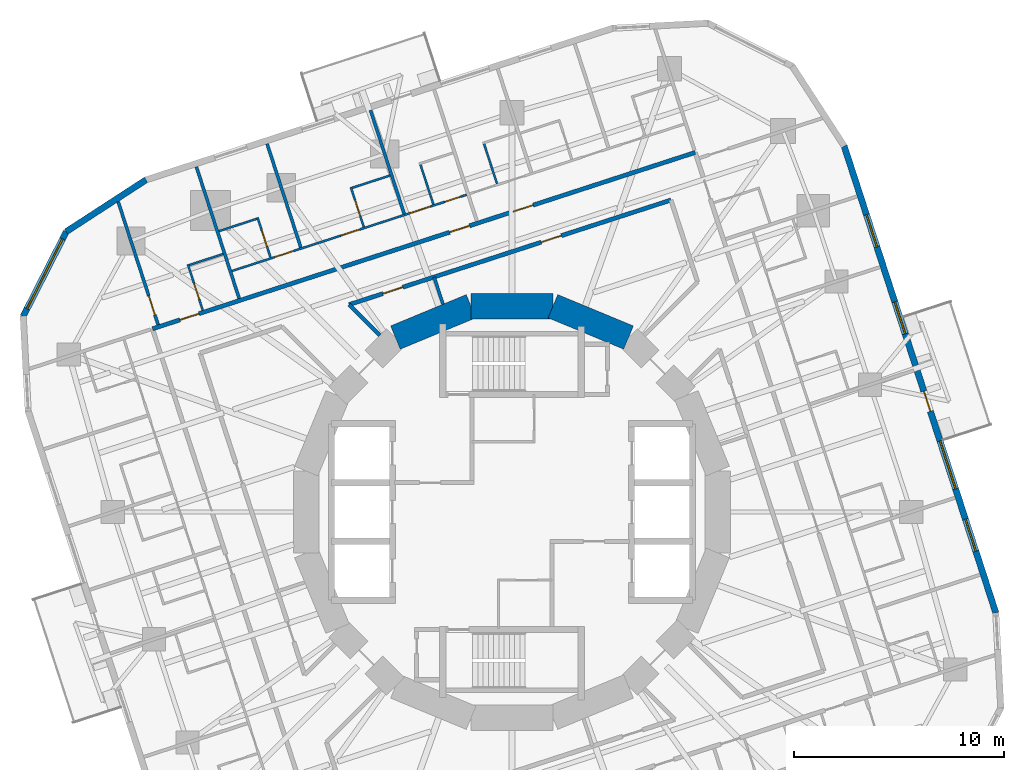
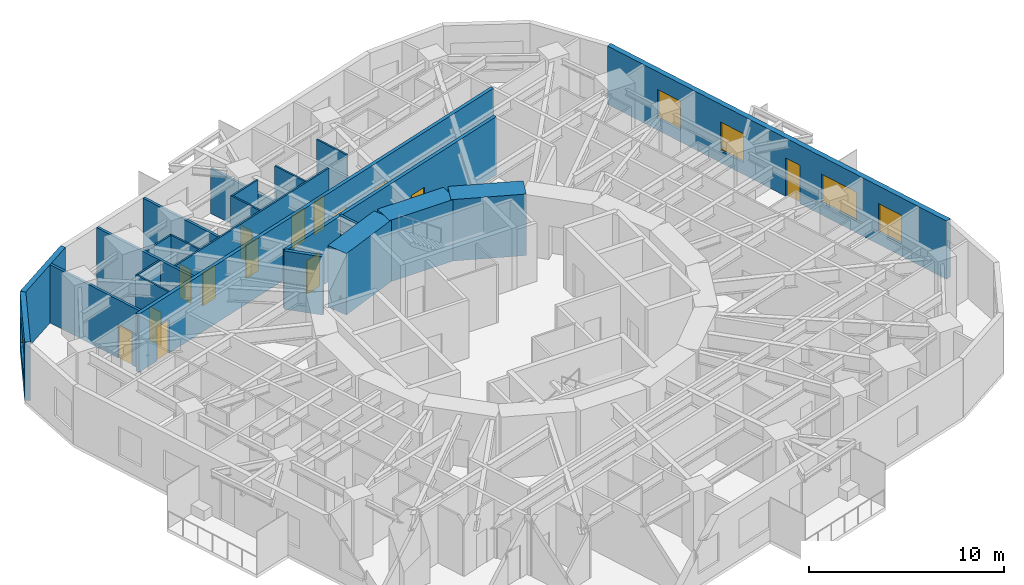
# One storey, part 9 of 13: 23 walls, 14 doors, 5 windows, 19 openings.
"""IFC4 building model written with IfcOpenShell, lengths in metres."""

from ifc_helpers import new_model, si_unit, direction, frame, frame_2d, origin, place, context, subcontext, project, spatial, rectangle, extrude, material, layer, layer_set, type_object, element, fill, save


model = new_model("IFC4")

# Units and contexts
model_context = context("Model", 3, precision=1e-05, world=origin(), true_north=direction((0.0, 1.0)))
body_context = subcontext(model_context, "Body", "Model", "MODEL_VIEW")
ifc_project = project(units=[si_unit("LENGTHUNIT", "METRE"), si_unit("AREAUNIT", "SQUARE_METRE"), si_unit("VOLUMEUNIT", "CUBIC_METRE"), si_unit("PLANEANGLEUNIT", "RADIAN"), si_unit("MASSUNIT", "GRAM", prefix="KILO")], contexts=[model_context])

# Site, building, storey
site_placement = place(None, origin())
site = spatial("IfcSite", under=ifc_project, at=site_placement, CompositionType="ELEMENT")
building_placement = place(site_placement, origin())
building = spatial("IfcBuilding", under=site, at=building_placement, Name="Nakasero Lantern House", CompositionType="ELEMENT")
storey_placement = place(building_placement, frame((0.0, 0.0, 157.199951171875)))
storey = spatial("IfcBuildingStorey", under=building, at=storey_placement, Name="L38", CompositionType="ELEMENT", Elevation=157.199951171875)

# Wall, openings, doors
ifc_material_1 = material(Name="Blockwork", Category="masonry")
ifc_layer_1 = layer(ifc_material_1, 0.10009765625)
ifc_layer_set_1 = layer_set([ifc_layer_1], Name="Cluster hall wall 100")
wall_type_1 = type_object("IfcWallType", Name="Cluster hall wall 100", PredefinedType="PARTITIONING", material=ifc_layer_set_1)
wall_1_placement = place(storey_placement, frame((-2.161865234375, 15.1220703125, 0.0), z_axis=(0.0, 0.0, 1.0), x_axis=(-0.9510590769, -0.309009113534, 0.0)))
wall_1 = element("IfcWall", 1, at=wall_1_placement, inside=storey, type_object=wall_type_1, Name="Cluster hall wall L38 HW1-1", PredefinedType="PARTITIONING", context=body_context, shape_type="SweptSolid", body=[
    extrude(rectangle(XDim=11.76416015625, YDim=0.10009765625, at=frame_2d((5.882080078125, 0.0))), origin(), (0.0, 0.0, 1.0), 3.650146484375),
])
opening_1_placement = place(wall_1_placement, frame((1.81396484375, 0.0, 0.0)))
opening_1 = element("IfcOpeningElement", 2, at=opening_1_placement, cuts=wall_1, Name="Opening D03", PredefinedType="OPENING", context=body_context, shape_type="SweptSolid", body=[
    extrude(rectangle(XDim=1.0, YDim=2.10009765625, at=frame_2d((0.5, 1.050048828125))), frame((0.0, 0.070068359375, 0.0), z_axis=(0.0, -1.0, 0.0), x_axis=(1.0, 0.0, 0.0)), (0.0, 0.0, 1.0), 0.14013671875),
])
opening_2_placement = place(wall_1_placement, frame((0.300048828125, 0.0, 0.0)))
opening_2 = element("IfcOpeningElement", 3, at=opening_2_placement, cuts=wall_1, Name="Opening D02", PredefinedType="OPENING", context=body_context, shape_type="SweptSolid", body=[
    extrude(rectangle(XDim=0.800048828125, YDim=2.10009765625, at=frame_2d((0.39990234375, 1.050048828125))), frame((0.0, 0.070068359375, 0.0), z_axis=(0.0, -1.0, 0.0), x_axis=(1.0, 0.0, 0.0)), (0.0, 0.0, 1.0), 0.14013671875),
])
opening_3_placement = place(wall_1_placement, frame((5.364013671875, 0.0, 0.0)))
opening_3 = element("IfcOpeningElement", 4, at=opening_3_placement, cuts=wall_1, Name="Opening D01", PredefinedType="OPENING", context=body_context, shape_type="SweptSolid", body=[
    extrude(rectangle(XDim=0.949951171875, YDim=2.10009765625, at=frame_2d((0.47509765625, 1.050048828125))), frame((0.0, 0.070068359375, 0.0), z_axis=(0.0, -1.0, 0.0), x_axis=(1.0, 0.0, 0.0)), (0.0, 0.0, 1.0), 0.14013671875),
])
opening_4_placement = place(wall_1_placement, frame((8.670166015625, 0.0, 0.0)))
opening_4 = element("IfcOpeningElement", 5, at=opening_4_placement, cuts=wall_1, Name="Opening D01", PredefinedType="OPENING", context=body_context, shape_type="SweptSolid", body=[
    extrude(rectangle(XDim=0.949951171875, YDim=2.10009765625, at=frame_2d((0.47509765625, 1.050048828125))), frame((0.0, 0.070068359375, 0.0), z_axis=(0.0, -1.0, 0.0), x_axis=(1.0, 0.0, 0.0)), (0.0, 0.0, 1.0), 0.14013671875),
])
ifc_material_2 = material(Name="Timber C24", Category="wood")
door_type_1 = type_object("IfcDoorType", Name="Bedroom door FD30S 950", OperationType="SINGLE_SWING_LEFT", PredefinedType="DOOR", material=ifc_material_2)
door_1_placement = place(opening_3_placement, origin())
door_1 = element("IfcDoor", 6, at=door_1_placement, inside=storey, type_object=door_type_1, Name="Door L38 D1-04", OperationType="SINGLE_SWING_LEFT", OverallHeight=2.10009765625, OverallWidth=0.949951171875, PredefinedType="DOOR", context=body_context, shape_type="SweptSolid", body=[
    extrude(rectangle(XDim=0.949951171875, YDim=2.10009765625, at=frame_2d((0.47509765625, 1.050048828125))), frame((0.0, 0.02490234375, 0.0), z_axis=(0.0, -1.0, 0.0), x_axis=(1.0, 0.0, 0.0)), (0.0, 0.0, 1.0), 0.050048828125),
])
fill(opening_3, door_1)
door_2_placement = place(opening_4_placement, origin())
door_2 = element("IfcDoor", 7, at=door_2_placement, inside=storey, type_object=door_type_1, Name="Door L38 D1-05", OperationType="SINGLE_SWING_RIGHT", OverallHeight=2.10009765625, OverallWidth=0.949951171875, PredefinedType="DOOR", context=body_context, shape_type="SweptSolid", body=[
    extrude(rectangle(XDim=0.949951171875, YDim=2.10009765625, at=frame_2d((0.47509765625, 1.050048828125))), frame((0.0, 0.02490234375, 0.0), z_axis=(0.0, -1.0, 0.0), x_axis=(1.0, 0.0, 0.0)), (0.0, 0.0, 1.0), 0.050048828125),
])
fill(opening_4, door_2)
ifc_material_3 = material(Name="Timber C24", Category="wood")
door_type_2 = type_object("IfcDoorType", Name="En-suite door 800", OperationType="SINGLE_SWING_RIGHT", PredefinedType="DOOR", material=ifc_material_3)
door_3_placement = place(opening_2_placement, origin())
door_3 = element("IfcDoor", 8, at=door_3_placement, inside=storey, type_object=door_type_2, Name="Door L38 DSH1-1", OperationType="SINGLE_SWING_LEFT", OverallHeight=2.10009765625, OverallWidth=0.800048828125, PredefinedType="DOOR", context=body_context, shape_type="SweptSolid", body=[
    extrude(rectangle(XDim=0.800048828125, YDim=2.10009765625, at=frame_2d((0.39990234375, 1.050048828125))), frame((0.0, 0.02490234375, 0.0), z_axis=(0.0, -1.0, 0.0), x_axis=(1.0, 0.0, 0.0)), (0.0, 0.0, 1.0), 0.050048828125),
])
fill(opening_2, door_3)
ifc_material_4 = material(Name="Timber C24", Category="wood")
door_type_3 = type_object("IfcDoorType", Name="Lounge door FD30S 1000", OperationType="SINGLE_SWING_LEFT", PredefinedType="DOOR", material=ifc_material_4)
door_4_placement = place(opening_1_placement, origin())
door_4 = element("IfcDoor", 9, at=door_4_placement, inside=storey, type_object=door_type_3, Name="Door L38 DH1-1", OperationType="SINGLE_SWING_LEFT", OverallHeight=2.10009765625, OverallWidth=1.0, PredefinedType="DOOR", context=body_context, shape_type="SweptSolid", body=[
    extrude(rectangle(XDim=1.0, YDim=2.10009765625, at=frame_2d((0.5, 1.050048828125))), frame((0.0, 0.02490234375, 0.0), z_axis=(0.0, -1.0, 0.0), x_axis=(1.0, 0.0, 0.0)), (0.0, 0.0, 1.0), 0.050048828125),
])
fill(opening_1, door_4)

# Walls
ifc_material_5 = material(Name="Concrete C50/60", Category="concrete")
ifc_layer_2 = layer(ifc_material_5, 1.199951171875)
ifc_layer_set_2 = layer_set([ifc_layer_2], Name="Core wall 1200")
wall_type_2 = type_object("IfcWallType", Name="Core wall 1200", PredefinedType="SHEAR", material=ifc_layer_set_2)
for number, where, z_axis, x_axis, name in (
    (10, (5.5556640625, 8.314697265625, 0.0), (0.0, 0.0, 1.0), (-0.923876507187, 0.382690736062, 0.0), "Core wall L38 facet 3"),
    (11, (1.950927734375, 9.807861328125, 0.0), (0.0, 0.0, 1.0), (-1.0, 0.0, 0.0), "Core wall L38 facet 4"),
    (12, (-1.950927734375, 9.807861328125, 0.0), (0.0, 0.0, 1.0), (-0.923876507187, -0.382690736062, 0.0), "Core wall L38 facet 5"),
):
    element("IfcWall", number, at=place(storey_placement, frame(where, z_axis=z_axis, x_axis=x_axis)), inside=storey, type_object=wall_type_2, Name=name, PredefinedType="SHEAR", context=body_context, shape_type="SweptSolid", body=[
        extrude(rectangle(XDim=3.90185546875, YDim=1.199951171875, at=frame_2d((1.950927734375, 0.0))), origin(), (0.0, 0.0, 1.0), 3.85009765625),
    ])

# Wall, openings, doors
ifc_material_6 = material(Name="Blockwork", Category="masonry")
ifc_layer_3 = layer(ifc_material_6, 0.199951171875)
ifc_layer_set_3 = layer_set([ifc_layer_3], Name="Corridor wall 200")
wall_type_3 = type_object("IfcWallType", Name="Corridor wall 200", PredefinedType="PARTITIONING", material=ifc_layer_set_3)
wall_2_placement = place(storey_placement, frame((8.731689453125, 17.136962890625, 0.0), z_axis=(0.0, 0.0, 1.0), x_axis=(-0.951056097323, -0.309018283835, 0.0)))
wall_2 = element("IfcWall", 13, at=wall_2_placement, inside=storey, type_object=wall_type_3, Name="Corridor wall L38 CW1", PredefinedType="PARTITIONING", context=body_context, shape_type="SweptSolid", body=[
    extrude(rectangle(XDim=27.199951171875, YDim=0.199951171875, at=frame_2d((13.60009765625, 0.0))), origin(), (0.0, 0.0, 1.0), 3.650146484375),
])
opening_5_placement = place(wall_2_placement, frame((8.118896484375, 0.0, 0.0)))
opening_5 = element("IfcOpeningElement", 14, at=opening_5_placement, cuts=wall_2, Name="Opening D14", PredefinedType="OPENING", context=body_context, shape_type="SweptSolid", body=[
    extrude(rectangle(XDim=1.0, YDim=2.10009765625, at=frame_2d((0.5, 1.050048828125))), frame((0.0, 0.119873046875, 0.0), z_axis=(0.0, -1.0, 0.0), x_axis=(1.0, 0.0, 0.0)), (0.0, 0.0, 1.0), 0.239990234375),
])
opening_6_placement = place(wall_2_placement, frame((11.30810546875, 0.0, 0.0)))
opening_6 = element("IfcOpeningElement", 15, at=opening_6_placement, cuts=wall_2, Name="Opening D14", PredefinedType="OPENING", context=body_context, shape_type="SweptSolid", body=[
    extrude(rectangle(XDim=1.0, YDim=2.10009765625, at=frame_2d((0.5, 1.050048828125))), frame((0.0, 0.119873046875, 0.0), z_axis=(0.0, -1.0, 0.0), x_axis=(1.0, 0.0, 0.0)), (0.0, 0.0, 1.0), 0.239990234375),
])
opening_7_placement = place(wall_2_placement, frame((24.872314453125, 0.0, 0.0)))
opening_7 = element("IfcOpeningElement", 16, at=opening_7_placement, cuts=wall_2, Name="Opening D01", PredefinedType="OPENING", context=body_context, shape_type="SweptSolid", body=[
    extrude(rectangle(XDim=0.949951171875, YDim=2.10009765625, at=frame_2d((0.47509765625, 1.050048828125))), frame((0.0, 0.119873046875, 0.0), z_axis=(0.0, -1.0, 0.0), x_axis=(1.0, 0.0, 0.0)), (0.0, 0.0, 1.0), 0.239990234375),
])
door_5_placement = place(opening_7_placement, origin())
door_5 = element("IfcDoor", 17, at=door_5_placement, inside=storey, type_object=door_type_1, Name="Door L38 D1-06", OperationType="SINGLE_SWING_RIGHT", OverallHeight=2.10009765625, OverallWidth=0.949951171875, PredefinedType="DOOR", context=body_context, shape_type="SweptSolid", body=[
    extrude(rectangle(XDim=0.949951171875, YDim=2.10009765625, at=frame_2d((0.47509765625, 1.050048828125))), frame((0.0, 0.02490234375, 0.0), z_axis=(0.0, -1.0, 0.0), x_axis=(1.0, 0.0, 0.0)), (0.0, 0.0, 1.0), 0.050048828125),
])
fill(opening_7, door_5)
ifc_material_7 = material(Name="Timber C24", Category="wood")
door_type_4 = type_object("IfcDoorType", Name="Cluster entrance door FD30S 1000", OperationType="SINGLE_SWING_LEFT", PredefinedType="DOOR", material=ifc_material_7)
door_6_placement = place(opening_5_placement, origin())
door_6 = element("IfcDoor", 18, at=door_6_placement, inside=storey, type_object=door_type_4, Name="Door L38 DF1-0", OperationType="SINGLE_SWING_LEFT", OverallHeight=2.10009765625, OverallWidth=1.0, PredefinedType="DOOR", context=body_context, shape_type="SweptSolid", body=[
    extrude(rectangle(XDim=1.0, YDim=2.10009765625, at=frame_2d((0.5, 1.050048828125))), frame((0.0, 0.02490234375, 0.0), z_axis=(0.0, -1.0, 0.0), x_axis=(1.0, 0.0, 0.0)), (0.0, 0.0, 1.0), 0.050048828125),
])
fill(opening_5, door_6)
door_7_placement = place(opening_6_placement, origin())
door_7 = element("IfcDoor", 19, at=door_7_placement, inside=storey, type_object=door_type_4, Name="Door L38 DF1-1", OperationType="SINGLE_SWING_LEFT", OverallHeight=2.10009765625, OverallWidth=1.0, PredefinedType="DOOR", context=body_context, shape_type="SweptSolid", body=[
    extrude(rectangle(XDim=1.0, YDim=2.10009765625, at=frame_2d((0.5, 1.050048828125))), frame((0.0, 0.02490234375, 0.0), z_axis=(0.0, -1.0, 0.0), x_axis=(1.0, 0.0, 0.0)), (0.0, 0.0, 1.0), 0.050048828125),
])
fill(opening_6, door_7)

wall_3_placement = place(storey_placement, frame((7.576171875, 14.868896484375, 0.0), z_axis=(0.0, 0.0, 1.0), x_axis=(-0.951056647235, -0.309016591385, 0.0)))
wall_3 = element("IfcWall", 20, at=wall_3_placement, inside=storey, type_object=wall_type_3, Name="Corridor wall L38 IW1-0", PredefinedType="PARTITIONING", context=body_context, shape_type="SweptSolid", body=[
    extrude(rectangle(XDim=16.12890625, YDim=0.199951171875, at=frame_2d((8.064453125, 0.0))), origin(), (0.0, 0.0, 1.0), 3.650146484375),
])
opening_8_placement = place(wall_3_placement, frame((5.49755859375, 0.0, 0.0)))
opening_8 = element("IfcOpeningElement", 21, at=opening_8_placement, cuts=wall_3, Name="Opening D07", PredefinedType="OPENING", context=body_context, shape_type="SweptSolid", body=[
    extrude(rectangle(XDim=1.0, YDim=2.10009765625, at=frame_2d((0.5, 1.050048828125))), frame((0.0, 0.119873046875, 0.0), z_axis=(0.0, -1.0, 0.0), x_axis=(1.0, 0.0, 0.0)), (0.0, 0.0, 1.0), 0.239990234375),
])
opening_9_placement = place(wall_3_placement, frame((13.43701171875, 0.0, 0.0)))
opening_9 = element("IfcOpeningElement", 22, at=opening_9_placement, cuts=wall_3, Name="Opening D07", PredefinedType="OPENING", context=body_context, shape_type="SweptSolid", body=[
    extrude(rectangle(XDim=1.0, YDim=2.10009765625, at=frame_2d((0.5, 1.050048828125))), frame((0.0, 0.119873046875, 0.0), z_axis=(0.0, -1.0, 0.0), x_axis=(1.0, 0.0, 0.0)), (0.0, 0.0, 1.0), 0.239990234375),
])
ifc_material_8 = material(Name="Timber C24", Category="wood")
door_type_5 = type_object("IfcDoorType", Name="Room door FD30S 1000", OperationType="SINGLE_SWING_LEFT", PredefinedType="DOOR", material=ifc_material_8)
door_8_placement = place(opening_8_placement, origin())
door_8 = element("IfcDoor", 23, at=door_8_placement, inside=storey, type_object=door_type_5, Name="Door L38 DI6", OperationType="SINGLE_SWING_LEFT", OverallHeight=2.10009765625, OverallWidth=1.0, PredefinedType="DOOR", context=body_context, shape_type="SweptSolid", body=[
    extrude(rectangle(XDim=1.0, YDim=2.10009765625, at=frame_2d((0.5, 1.050048828125))), frame((0.0, 0.02490234375, 0.0), z_axis=(0.0, -1.0, 0.0), x_axis=(1.0, 0.0, 0.0)), (0.0, 0.0, 1.0), 0.050048828125),
])
fill(opening_8, door_8)
door_9_placement = place(opening_9_placement, origin())
door_9 = element("IfcDoor", 24, at=door_9_placement, inside=storey, type_object=door_type_5, Name="Door L38 DI7", OperationType="SINGLE_SWING_RIGHT", OverallHeight=2.10009765625, OverallWidth=1.0, PredefinedType="DOOR", context=body_context, shape_type="SweptSolid", body=[
    extrude(rectangle(XDim=1.0, YDim=2.10009765625, at=frame_2d((0.5, 1.050048828125))), frame((0.0, 0.02490234375, 0.0), z_axis=(0.0, -1.0, 0.0), x_axis=(1.0, 0.0, 0.0)), (0.0, 0.0, 1.0), 0.050048828125),
])
fill(opening_9, door_9)

# Walls
wall_4_placement = place(storey_placement, frame((-6.298828125, 8.420166015625, 0.0), z_axis=(0.0, 0.0, 1.0), x_axis=(-0.707106781187, 0.707106781187, 0.0)))
element("IfcWall", 25, at=wall_4_placement, inside=storey, type_object=wall_type_3, Name="Corridor wall L38 PS06b", PredefinedType="PARTITIONING", context=body_context, shape_type="SweptSolid", body=[
    extrude(rectangle(XDim=2.0712890625, YDim=0.199951171875, at=frame_2d((1.03564453125, 0.0))), origin(), (0.0, 0.0, 1.0), 3.650146484375),
])
ifc_material_9 = material(Name="Blockwork", Category="masonry")
ifc_layer_4 = layer(ifc_material_9, 0.10009765625)
ifc_layer_set_4 = layer_set([ifc_layer_4], Name="En-suite wall 100")
wall_type_4 = type_object("IfcWallType", Name="En-suite wall 100", PredefinedType="PARTITIONING", material=ifc_layer_set_4)
for number, where, z_axis, x_axis, name in (
    (26, (-0.713623046875, 15.645263671875, 0.0), (0.0, 0.0, 1.0), (-0.308999325213, 0.951062257173, 0.0), "En-suite wall L38 SS1-0"),
    (27, (-3.74658203125, 14.65966796875, 0.0), (0.0, 0.0, 1.0), (-0.308999325213, 0.951062257173, 0.0), "En-suite wall L38 SS1-1"),
):
    element("IfcWall", number, at=place(storey_placement, frame(where, z_axis=z_axis, x_axis=x_axis)), inside=storey, type_object=wall_type_4, Name=name, PredefinedType="PARTITIONING", context=body_context, shape_type="SweptSolid", body=[
        extrude(rectangle(XDim=2.10009765625, YDim=0.10009765625, at=frame_2d((1.050048828125, 0.0))), origin(), (0.0, 0.0, 1.0), 3.650146484375),
    ])

# Wall, opening, door
wall_5_placement = place(storey_placement, frame((-7.064697265625, 13.58154296875, 0.0), z_axis=(0.0, 0.0, 1.0), x_axis=(-0.309077791808, 0.951036759863, 0.0)))
wall_5 = element("IfcWall", 28, at=wall_5_placement, inside=storey, type_object=wall_type_4, Name="En-suite wall L38 ES1-04", PredefinedType="PARTITIONING", context=body_context, shape_type="SweptSolid", body=[
    extrude(rectangle(XDim=2.0, YDim=0.10009765625, at=frame_2d((1.0, 0.0))), origin(), (0.0, 0.0, 1.0), 3.650146484375),
])
opening_10_placement = place(wall_5_placement, frame((0.550048828125, 0.0, 0.0)))
opening_10 = element("IfcOpeningElement", 29, at=opening_10_placement, cuts=wall_5, Name="Opening D02", PredefinedType="OPENING", context=body_context, shape_type="SweptSolid", body=[
    extrude(rectangle(XDim=0.800048828125, YDim=2.10009765625, at=frame_2d((0.39990234375, 1.050048828125))), frame((0.0, 0.070068359375, 0.0), z_axis=(0.0, -1.0, 0.0), x_axis=(1.0, 0.0, 0.0)), (0.0, 0.0, 1.0), 0.14013671875),
])
door_10_placement = place(opening_10_placement, origin())
door_10 = element("IfcDoor", 30, at=door_10_placement, inside=storey, type_object=door_type_2, Name="Door L38 DE1-04", OperationType="SINGLE_SWING_LEFT", OverallHeight=2.10009765625, OverallWidth=0.800048828125, PredefinedType="DOOR", context=body_context, shape_type="SweptSolid", body=[
    extrude(rectangle(XDim=0.800048828125, YDim=2.10009765625, at=frame_2d((0.39990234375, 1.050048828125))), frame((0.0, 0.02490234375, 0.0), z_axis=(0.0, -1.0, 0.0), x_axis=(1.0, 0.0, 0.0)), (0.0, 0.0, 1.0), 0.050048828125),
])
fill(opening_10, door_10)

# Wall
wall_6_placement = place(storey_placement, frame((-5.812744140625, 16.038818359375, 0.0), z_axis=(0.0, 0.0, 1.0), x_axis=(-0.951058615481, -0.309010533671, 0.0)))
element("IfcWall", 31, at=wall_6_placement, inside=storey, type_object=wall_type_4, Name="En-suite wall L38 EE1-04", PredefinedType="PARTITIONING", context=body_context, shape_type="SweptSolid", body=[
    extrude(rectangle(XDim=1.900146484375, YDim=0.10009765625, at=frame_2d((0.9501953125, 0.0))), origin(), (0.0, 0.0, 1.0), 3.650146484375),
])

# Wall, opening, door
wall_7_placement = place(storey_placement, frame((-11.51123046875, 12.13671875, 0.0), z_axis=(0.0, 0.0, 1.0), x_axis=(-0.309041914367, 0.951048418938, 0.0)))
wall_7 = element("IfcWall", 32, at=wall_7_placement, inside=storey, type_object=wall_type_4, Name="En-suite wall L38 ES1-05", PredefinedType="PARTITIONING", context=body_context, shape_type="SweptSolid", body=[
    extrude(rectangle(XDim=2.000244140625, YDim=0.10009765625, at=frame_2d((1.0, 0.0))), origin(), (0.0, 0.0, 1.0), 3.650146484375),
])
opening_11_placement = place(wall_7_placement, frame((0.550048828125, 0.0, 0.0)))
opening_11 = element("IfcOpeningElement", 33, at=opening_11_placement, cuts=wall_7, Name="Opening D02", PredefinedType="OPENING", context=body_context, shape_type="SweptSolid", body=[
    extrude(rectangle(XDim=0.800048828125, YDim=2.10009765625, at=frame_2d((0.39990234375, 1.050048828125))), frame((0.0, 0.070068359375, 0.0), z_axis=(0.0, -1.0, 0.0), x_axis=(1.0, 0.0, 0.0)), (0.0, 0.0, 1.0), 0.14013671875),
])
door_11_placement = place(opening_11_placement, origin())
door_11 = element("IfcDoor", 34, at=door_11_placement, inside=storey, type_object=door_type_2, Name="Door L38 DE1-05", OperationType="SINGLE_SWING_LEFT", OverallHeight=2.10009765625, OverallWidth=0.800048828125, PredefinedType="DOOR", context=body_context, shape_type="SweptSolid", body=[
    extrude(rectangle(XDim=0.800048828125, YDim=2.10009765625, at=frame_2d((0.39990234375, 1.050048828125))), frame((0.0, 0.02490234375, 0.0), z_axis=(0.0, -1.0, 0.0), x_axis=(1.0, 0.0, 0.0)), (0.0, 0.0, 1.0), 0.050048828125),
])
fill(opening_11, door_11)

# Wall
wall_8_placement = place(storey_placement, frame((-12.161376953125, 13.975830078125, 0.0), z_axis=(0.0, 0.0, 1.0), x_axis=(-0.951096370469, -0.308894308917, 0.0)))
element("IfcWall", 35, at=wall_8_placement, inside=storey, type_object=wall_type_4, Name="En-suite wall L38 EE1-05", PredefinedType="PARTITIONING", context=body_context, shape_type="SweptSolid", body=[
    extrude(rectangle(XDim=1.900146484375, YDim=0.10009765625, at=frame_2d((0.9501953125, 0.0))), origin(), (0.0, 0.0, 1.0), 3.650146484375),
])

# Wall, opening, door
wall_9_placement = place(storey_placement, frame((-14.740234375, 9.61572265625, 0.0), z_axis=(0.0, 0.0, 1.0), x_axis=(-0.309021261611, 0.951055129775, 0.0)))
wall_9 = element("IfcWall", 36, at=wall_9_placement, inside=storey, type_object=wall_type_4, Name="En-suite wall L38 ES1-06", PredefinedType="PARTITIONING", context=body_context, shape_type="SweptSolid", body=[
    extrude(rectangle(XDim=2.2998046875, YDim=0.10009765625, at=frame_2d((1.14990234375, 0.0))), origin(), (0.0, 0.0, 1.0), 3.650146484375),
])
opening_12_placement = place(wall_9_placement, frame((0.550048828125, 0.0, 0.0)))
opening_12 = element("IfcOpeningElement", 37, at=opening_12_placement, cuts=wall_9, Name="Opening D02", PredefinedType="OPENING", context=body_context, shape_type="SweptSolid", body=[
    extrude(rectangle(XDim=0.800048828125, YDim=2.10009765625, at=frame_2d((0.39990234375, 1.050048828125))), frame((0.0, 0.070068359375, 0.0), z_axis=(0.0, -1.0, 0.0), x_axis=(1.0, 0.0, 0.0)), (0.0, 0.0, 1.0), 0.14013671875),
])
door_12_placement = place(opening_12_placement, origin())
door_12 = element("IfcDoor", 38, at=door_12_placement, inside=storey, type_object=door_type_2, Name="Door L38 DE1-06", OperationType="SINGLE_SWING_LEFT", OverallHeight=2.10009765625, OverallWidth=0.800048828125, PredefinedType="DOOR", context=body_context, shape_type="SweptSolid", body=[
    extrude(rectangle(XDim=0.800048828125, YDim=2.10009765625, at=frame_2d((0.39990234375, 1.050048828125))), frame((0.0, 0.02490234375, 0.0), z_axis=(0.0, -1.0, 0.0), x_axis=(1.0, 0.0, 0.0)), (0.0, 0.0, 1.0), 0.050048828125),
])
fill(opening_12, door_12)

# Wall
wall_10_placement = place(storey_placement, frame((-13.771240234375, 12.29638671875, 0.0), z_axis=(0.0, 0.0, 1.0), x_axis=(-0.951040401051, -0.309066587596, 0.0)))
element("IfcWall", 39, at=wall_10_placement, inside=storey, type_object=wall_type_4, Name="En-suite wall L38 EE1-06", PredefinedType="PARTITIONING", context=body_context, shape_type="SweptSolid", body=[
    extrude(rectangle(XDim=1.699951171875, YDim=0.10009765625, at=frame_2d((0.85009765625, 0.0))), origin(), (0.0, 0.0, 1.0), 3.650146484375),
])

# Wall, openings, door, windows
ifc_material_10 = material(Name="Aluminium rainscreen on blockwork", Category="masonry")
ifc_layer_5 = layer(ifc_material_10, 0.300048828125)
ifc_layer_set_5 = layer_set([ifc_layer_5], Name="Facade wall 300")
wall_type_5 = type_object("IfcWallType", Name="Facade wall 300", PredefinedType="SOLIDWALL", material=ifc_layer_set_5)
wall_11_placement = place(storey_placement, frame((23.064697265625, -4.807861328125, 0.0), z_axis=(0.0, 0.0, 1.0), x_axis=(-0.30902591324, 0.951053618334, 0.0)))
wall_11 = element("IfcWall", 40, at=wall_11_placement, inside=storey, type_object=wall_type_5, Name="Facade wall L38 FW0S", PredefinedType="SOLIDWALL", context=body_context, shape_type="SweptSolid", body=[
    extrude(rectangle(XDim=23.39990234375, YDim=0.300048828125, at=frame_2d((11.699951171875, 0.0))), origin(), (0.0, 0.0, 1.0), 3.650146484375),
])
opening_13_placement = place(wall_11_placement, frame((3.089111328125, 0.0, 0.75)))
opening_13 = element("IfcOpeningElement", 41, at=opening_13_placement, cuts=wall_11, Name="Opening W01", PredefinedType="OPENING", context=body_context, shape_type="SweptSolid", body=[
    extrude(rectangle(XDim=1.60009765625, YDim=1.800048828125, at=frame_2d((0.800048828125, 0.89990234375))), frame((0.0, 0.169921875, 0.0), z_axis=(0.0, -1.0, 0.0), x_axis=(1.0, 0.0, 0.0)), (0.0, 0.0, 1.0), 0.340087890625),
])
opening_14_placement = place(wall_11_placement, frame((13.987548828125, 0.0, 0.75)))
opening_14 = element("IfcOpeningElement", 42, at=opening_14_placement, cuts=wall_11, Name="Opening W01", PredefinedType="OPENING", context=body_context, shape_type="SweptSolid", body=[
    extrude(rectangle(XDim=1.60009765625, YDim=1.800048828125, at=frame_2d((0.800048828125, 0.89990234375))), frame((0.0, 0.169921875, 0.0), z_axis=(0.0, -1.0, 0.0), x_axis=(1.0, 0.0, 0.0)), (0.0, 0.0, 1.0), 0.340087890625),
])
opening_15_placement = place(wall_11_placement, frame((18.350341796875, 0.0, 0.75)))
opening_15 = element("IfcOpeningElement", 43, at=opening_15_placement, cuts=wall_11, Name="Opening W01", PredefinedType="OPENING", context=body_context, shape_type="SweptSolid", body=[
    extrude(rectangle(XDim=1.60009765625, YDim=1.800048828125, at=frame_2d((0.800048828125, 0.89990234375))), frame((0.0, 0.169921875, 0.0), z_axis=(0.0, -1.0, 0.0), x_axis=(1.0, 0.0, 0.0)), (0.0, 0.0, 1.0), 0.340087890625),
])
opening_16_placement = place(wall_11_placement, frame((6.21337890625, 0.0, 0.75)))
opening_16 = element("IfcOpeningElement", 44, at=opening_16_placement, cuts=wall_11, Name="Opening W03", PredefinedType="OPENING", context=body_context, shape_type="SweptSolid", body=[
    extrude(rectangle(XDim=2.39990234375, YDim=1.800048828125, at=frame_2d((1.199951171875, 0.89990234375))), frame((0.0, 0.169921875, 0.0), z_axis=(0.0, -1.0, 0.0), x_axis=(1.0, 0.0, 0.0)), (0.0, 0.0, 1.0), 0.340087890625),
])
opening_17_placement = place(wall_11_placement, frame((10.1025390625, 0.0, 0.0)))
opening_17 = element("IfcOpeningElement", 45, at=opening_17_placement, cuts=wall_11, Name="Opening D04", PredefinedType="OPENING", context=body_context, shape_type="SweptSolid", body=[
    extrude(rectangle(XDim=1.0, YDim=2.39990234375, at=frame_2d((0.5, 1.199951171875))), frame((0.0, 0.169921875, 0.0), z_axis=(0.0, -1.0, 0.0), x_axis=(1.0, 0.0, 0.0)), (0.0, 0.0, 1.0), 0.340087890625),
])
ifc_material_11 = material(Name="Aluminium 6063-T6 and glass", Category="aluminium")
door_type_6 = type_object("IfcDoorType", Name="Balcony door 1000x2400", OperationType="SINGLE_SWING_RIGHT", PredefinedType="DOOR", material=ifc_material_11)
door_13_placement = place(opening_17_placement, origin())
door_13 = element("IfcDoor", 46, at=door_13_placement, inside=storey, type_object=door_type_6, Name="Balcony door L38 DB0", OperationType="SINGLE_SWING_RIGHT", OverallHeight=2.39990234375, OverallWidth=1.0, PredefinedType="DOOR", context=body_context, shape_type="SweptSolid", body=[
    extrude(rectangle(XDim=1.0, YDim=2.39990234375, at=frame_2d((0.5, 1.199951171875))), frame((0.0, 0.02490234375, 0.0), z_axis=(0.0, -1.0, 0.0), x_axis=(1.0, 0.0, 0.0)), (0.0, 0.0, 1.0), 0.050048828125),
])
fill(opening_17, door_13)
ifc_material_12 = material(Name="Aluminium 6063-T6 and glass", Category="aluminium")
window_type_1 = type_object("IfcWindowType", Name="Bedroom window 1600x1800", PartitioningType="SINGLE_PANEL", PredefinedType="WINDOW", material=ifc_material_12)
window_1_placement = place(opening_13_placement, origin())
window_1 = element("IfcWindow", 47, at=window_1_placement, inside=storey, type_object=window_type_1, Name="Window L38 WN0-01", OverallHeight=1.800048828125, OverallWidth=1.60009765625, PartitioningType="SINGLE_PANEL", PredefinedType="WINDOW", context=body_context, shape_type="SweptSolid", body=[
    extrude(rectangle(XDim=1.60009765625, YDim=1.800048828125, at=frame_2d((0.800048828125, 0.89990234375))), frame((0.0, 0.030029296875, 0.0), z_axis=(0.0, -1.0, 0.0), x_axis=(1.0, 0.0, 0.0)), (0.0, 0.0, 1.0), 0.06005859375),
])
fill(opening_13, window_1)
window_2_placement = place(opening_14_placement, origin())
window_2 = element("IfcWindow", 48, at=window_2_placement, inside=storey, type_object=window_type_1, Name="Window L38 WN0-04", OverallHeight=1.800048828125, OverallWidth=1.60009765625, PartitioningType="SINGLE_PANEL", PredefinedType="WINDOW", context=body_context, shape_type="SweptSolid", body=[
    extrude(rectangle(XDim=1.60009765625, YDim=1.800048828125, at=frame_2d((0.800048828125, 0.89990234375))), frame((0.0, 0.030029296875, 0.0), z_axis=(0.0, -1.0, 0.0), x_axis=(1.0, 0.0, 0.0)), (0.0, 0.0, 1.0), 0.06005859375),
])
fill(opening_14, window_2)
window_3_placement = place(opening_15_placement, origin())
window_3 = element("IfcWindow", 49, at=window_3_placement, inside=storey, type_object=window_type_1, Name="Window L38 WN0-05", OverallHeight=1.800048828125, OverallWidth=1.60009765625, PartitioningType="SINGLE_PANEL", PredefinedType="WINDOW", context=body_context, shape_type="SweptSolid", body=[
    extrude(rectangle(XDim=1.60009765625, YDim=1.800048828125, at=frame_2d((0.800048828125, 0.89990234375))), frame((0.0, 0.030029296875, 0.0), z_axis=(0.0, -1.0, 0.0), x_axis=(1.0, 0.0, 0.0)), (0.0, 0.0, 1.0), 0.06005859375),
])
fill(opening_15, window_3)
ifc_material_13 = material(Name="Aluminium 6063-T6 and glass", Category="aluminium")
window_type_2 = type_object("IfcWindowType", Name="Lounge window 2400x1800", PartitioningType="SINGLE_PANEL", PredefinedType="WINDOW", material=ifc_material_13)
window_4_placement = place(opening_16_placement, origin())
window_4 = element("IfcWindow", 50, at=window_4_placement, inside=storey, type_object=window_type_2, Name="Window L38 WK0", OverallHeight=1.800048828125, OverallWidth=2.39990234375, PartitioningType="SINGLE_PANEL", PredefinedType="WINDOW", context=body_context, shape_type="SweptSolid", body=[
    extrude(rectangle(XDim=2.39990234375, YDim=1.800048828125, at=frame_2d((1.199951171875, 0.89990234375))), frame((0.0, 0.030029296875, 0.0), z_axis=(0.0, -1.0, 0.0), x_axis=(1.0, 0.0, 0.0)), (0.0, 0.0, 1.0), 0.06005859375),
])
fill(opening_16, window_4)

# Wall
wall_12_placement = place(storey_placement, frame((-17.44677734375, 15.83349609375, 0.0), z_axis=(0.0, 0.0, 1.0), x_axis=(-0.838673836229, -0.544634002266, 0.0)))
element("IfcWall", 51, at=wall_12_placement, inside=storey, type_object=wall_type_5, Name="Facade wall L38 FW1C1", PredefinedType="SOLIDWALL", context=body_context, shape_type="SweptSolid", body=[
    extrude(rectangle(XDim=4.529296875, YDim=0.300048828125, at=frame_2d((2.2646484375, 0.0))), origin(), (0.0, 0.0, 1.0), 3.650146484375),
])

# Wall, opening, window
wall_13_placement = place(storey_placement, frame((-21.245361328125, 13.36669921875, 0.0), z_axis=(0.0, 0.0, 1.0), x_axis=(-0.454013792196, -0.890994655705, 0.0)))
wall_13 = element("IfcWall", 52, at=wall_13_placement, inside=storey, type_object=wall_type_5, Name="Facade wall L38 FW1C2", PredefinedType="SOLIDWALL", context=body_context, shape_type="SweptSolid", body=[
    extrude(rectangle(XDim=4.529296875, YDim=0.300048828125, at=frame_2d((2.2646484375, 0.0))), origin(), (0.0, 0.0, 1.0), 3.650146484375),
])
opening_18_placement = place(wall_13_placement, frame((0.39990234375, 0.0, 0.75)))
opening_18 = element("IfcOpeningElement", 53, at=opening_18_placement, cuts=wall_13, Name="Opening W237A", PredefinedType="OPENING", context=body_context, shape_type="SweptSolid", body=[
    extrude(rectangle(XDim=3.72900390625, YDim=1.800048828125, at=frame_2d((1.864501953125, 0.89990234375))), frame((0.0, 0.169921875, 0.0), z_axis=(0.0, -1.0, 0.0), x_axis=(1.0, 0.0, 0.0)), (0.0, 0.0, 1.0), 0.340087890625),
])
ifc_material_14 = material(Name="Aluminium 6063-T6 and glass", Category="aluminium")
window_type_3 = type_object("IfcWindowType", Name="Corner window 3729x1800", PartitioningType="SINGLE_PANEL", PredefinedType="WINDOW", material=ifc_material_14)
window_5_placement = place(opening_18_placement, origin())
window_5 = element("IfcWindow", 54, at=window_5_placement, inside=storey, type_object=window_type_3, Name="Window L38 WC1", OverallHeight=1.800048828125, OverallWidth=3.72900390625, PartitioningType="SINGLE_PANEL", PredefinedType="WINDOW", context=body_context, shape_type="SweptSolid", body=[
    extrude(rectangle(XDim=3.72900390625, YDim=1.800048828125, at=frame_2d((1.864501953125, 0.89990234375))), frame((0.0, 0.030029296875, 0.0), z_axis=(0.0, -1.0, 0.0), x_axis=(1.0, 0.0, 0.0)), (0.0, 0.0, 1.0), 0.06005859375),
])
fill(opening_18, window_5)

# Walls
ifc_material_15 = material(Name="Blockwork", Category="masonry")
ifc_layer_6 = layer(ifc_material_15, 0.14990234375)
ifc_layer_set_6 = layer_set([ifc_layer_6], Name="Party wall 150")
wall_type_6 = type_object("IfcWallType", Name="Party wall 150", PredefinedType="PARTITIONING", material=ifc_layer_set_6)
wall_14_placement = place(storey_placement, frame((-5.138916015625, 14.207275390625, 0.0), z_axis=(0.0, 0.0, 1.0), x_axis=(-0.309021313752, 0.951055112834, 0.0)))
element("IfcWall", 55, at=wall_14_placement, inside=storey, type_object=wall_type_6, Name="Party wall L38 PW1-04", PredefinedType="PARTITIONING", context=body_context, shape_type="SweptSolid", body=[
    extrude(rectangle(XDim=5.2001953125, YDim=0.14990234375, at=frame_2d((2.60009765625, 0.0))), origin(), (0.0, 0.0, 1.0), 2.809326171875),
])
wall_15_placement = place(storey_placement, frame((-10.06640625, 12.606201171875, 0.0), z_axis=(0.0, 0.0, 1.0), x_axis=(-0.309021313752, 0.951055112834, 0.0)))
element("IfcWall", 56, at=wall_15_placement, inside=storey, type_object=wall_type_6, Name="Party wall L38 PW1-05", PredefinedType="PARTITIONING", context=body_context, shape_type="SweptSolid", body=[
    extrude(rectangle(XDim=5.2001953125, YDim=0.14990234375, at=frame_2d((2.60009765625, 0.0))), origin(), (0.0, 0.0, 1.0), 3.650146484375),
])
wall_16_placement = place(storey_placement, frame((-13.004638671875, 10.1796875, 0.0), z_axis=(0.0, 0.0, 1.0), x_axis=(-0.309027520945, 0.951053095941, 0.0)))
element("IfcWall", 57, at=wall_16_placement, inside=storey, type_object=wall_type_6, Name="Party wall L38 PW1-06", PredefinedType="PARTITIONING", context=body_context, shape_type="SweptSolid", body=[
    extrude(rectangle(XDim=6.599853515625, YDim=0.14990234375, at=frame_2d((3.2998046875, 0.0))), origin(), (0.0, 0.0, 1.0), 3.650146484375),
])

# Wall, opening, door
wall_17_placement = place(storey_placement, frame((-16.8662109375, 8.9248046875, 0.0), z_axis=(0.0, 0.0, 1.0), x_axis=(-0.309031452366, 0.951051818488, 0.0)))
wall_17 = element("IfcWall", 58, at=wall_17_placement, inside=storey, type_object=wall_type_6, Name="Party wall L38 PC1", PredefinedType="PARTITIONING", context=body_context, shape_type="SweptSolid", body=[
    extrude(rectangle(XDim=6.165283203125, YDim=0.14990234375, at=frame_2d((3.08251953125, 0.0))), origin(), (0.0, 0.0, 1.0), 3.650146484375),
])
opening_19_placement = place(wall_17_placement, frame((0.5, 0.0, 0.0)))
opening_19 = element("IfcOpeningElement", 59, at=opening_19_placement, cuts=wall_17, Name="Opening D01", PredefinedType="OPENING", context=body_context, shape_type="SweptSolid", body=[
    extrude(rectangle(XDim=0.949951171875, YDim=2.10009765625, at=frame_2d((0.47509765625, 1.050048828125))), frame((0.0, 0.094970703125, 0.0), z_axis=(0.0, -1.0, 0.0), x_axis=(1.0, 0.0, 0.0)), (0.0, 0.0, 1.0), 0.18994140625),
])
door_14_placement = place(opening_19_placement, origin())
door_14 = element("IfcDoor", 60, at=door_14_placement, inside=storey, type_object=door_type_1, Name="Door L38 DC1", OperationType="SINGLE_SWING_LEFT", OverallHeight=2.10009765625, OverallWidth=0.949951171875, PredefinedType="DOOR", context=body_context, shape_type="SweptSolid", body=[
    extrude(rectangle(XDim=0.949951171875, YDim=2.10009765625, at=frame_2d((0.47509765625, 1.050048828125))), frame((0.0, 0.02490234375, 0.0), z_axis=(0.0, -1.0, 0.0), x_axis=(1.0, 0.0, 0.0)), (0.0, 0.0, 1.0), 0.050048828125),
])
fill(opening_19, door_14)

# Wall
wall_18_placement = place(storey_placement, frame((-3.712890625, 11.200927734375, 0.0), z_axis=(0.0, 0.0, 1.0), x_axis=(0.308924371384, -0.951086606343, 0.0)))
element("IfcWall", 61, at=wall_18_placement, inside=storey, type_object=wall_type_6, Name="Party wall L38 IM1", PredefinedType="PARTITIONING", context=body_context, shape_type="SweptSolid", body=[
    extrude(rectangle(XDim=1.36572265625, YDim=0.14990234375, at=frame_2d((0.682861328125, 0.0))), origin(), (0.0, 0.0, 1.0), 3.650146484375),
])

save(model, "model.ifc")
